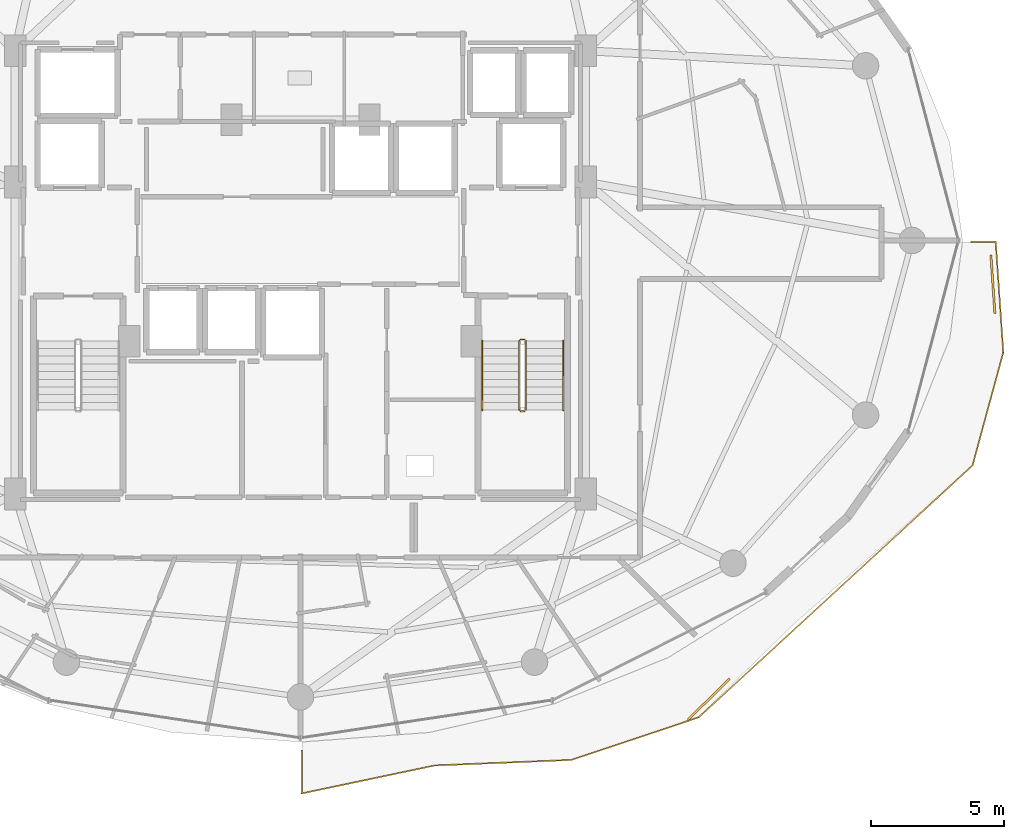
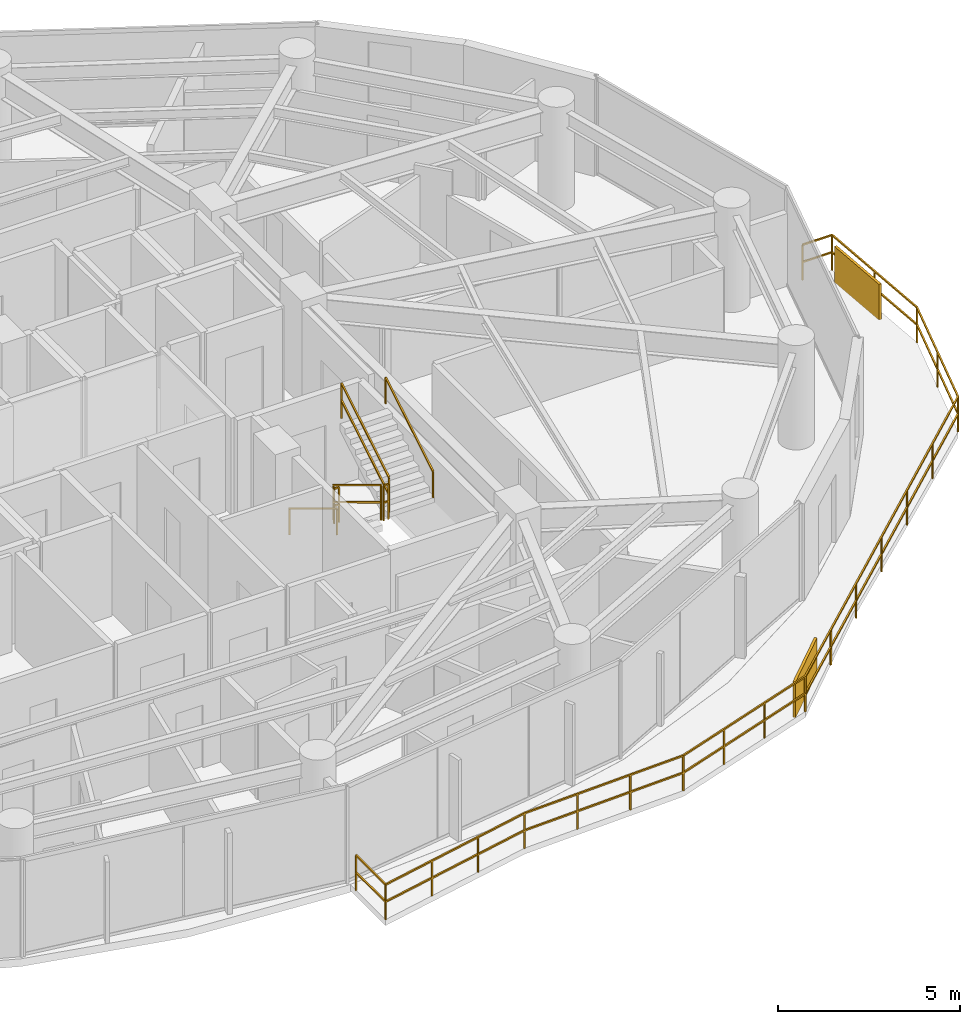
# One storey, part 29 of 31: 8 railings, 2 shading devices.
"""IFC4 building model written with IfcOpenShell, lengths in metres."""

from ifc_helpers import new_model, si_unit, direction, frame, origin, origin_2d, place, context, subcontext, project, spatial, rectangle, extrude, material, type_object, element, save


model = new_model("IFC4")

# Units and contexts
model_context = context("Model", 3, precision=1e-05, world=origin(), true_north=direction((0.0, 1.0)))
body_context = subcontext(model_context, "Body", "Model", "MODEL_VIEW")
ifc_project = project(units=[si_unit("LENGTHUNIT", "METRE"), si_unit("AREAUNIT", "SQUARE_METRE"), si_unit("VOLUMEUNIT", "CUBIC_METRE"), si_unit("PLANEANGLEUNIT", "RADIAN"), si_unit("MASSUNIT", "GRAM", prefix="KILO")], contexts=[model_context])

# Site, building, storey
site_placement = place(None, origin())
site = spatial("IfcSite", under=ifc_project, at=site_placement, CompositionType="ELEMENT")
building_placement = place(site_placement, origin())
building = spatial("IfcBuilding", under=site, at=building_placement, Name="Vorneva Point Tower", CompositionType="ELEMENT")
storey_placement = place(building_placement, frame((0.0, 0.0, 136.10009765625)))
storey = spatial("IfcBuildingStorey", under=building, at=storey_placement, Name="L36", CompositionType="ELEMENT", Elevation=136.10009765625)

# Railings
ifc_material_1 = material(Name="Pale anodised aluminium", Category="aluminium")
railing_type_1 = type_object("IfcRailingType", Name="RL-BAL-1200", PredefinedType="BALUSTRADE", material=ifc_material_1)
railing_1_placement = place(storey_placement, frame((64.48876953125, 21.782958984375, 0.0)))
element("IfcRailing", 1, at=railing_1_placement, inside=storey, type_object=railing_type_1, Name="L36 Wave Balcony Balustrade SE.1", PredefinedType="BALUSTRADE", context=body_context, shape_type="SweptSolid", body=[
    extrude(rectangle(XDim=0.048095703125, YDim=0.048095703125, at=origin_2d()), frame((0.0, 0.0, 1.17578125), z_axis=(-0.068330661479, 0.997662728933, 0.0), x_axis=(-0.997662728933, -0.068330661479, 0.0)), (0.0, 0.0, 1.0), 4.1767578125),
    extrude(rectangle(XDim=0.048095703125, YDim=0.048095703125, at=origin_2d()), frame((0.0, 0.0, 0.60009765625), z_axis=(-0.068330661479, 0.997662728933, 0.0), x_axis=(-0.997662728933, -0.068330661479, 0.0)), (0.0, 0.0, 1.0), 4.1767578125),
    extrude(rectangle(XDim=0.048095703125, YDim=0.048095703125, at=origin_2d()), frame((-0.285400390625, 4.1669921875, 1.17578125), z_axis=(-1.0, 0.0, 0.0), x_axis=(0.0, -1.0, 0.0)), (0.0, 0.0, 1.0), 0.937255859375),
    extrude(rectangle(XDim=0.048095703125, YDim=0.048095703125, at=origin_2d()), frame((-0.285400390625, 4.1669921875, 0.60009765625), z_axis=(-1.0, 0.0, 0.0), x_axis=(0.0, -1.0, 0.0)), (0.0, 0.0, 1.0), 0.937255859375),
    extrude(rectangle(XDim=0.0419921875, YDim=0.0419921875, at=origin_2d()), origin(), (0.0, 0.0, 1.0), 1.15185546875),
    extrude(rectangle(XDim=0.0419921875, YDim=0.0419921875, at=origin_2d()), frame((-0.142578125, 2.08349609375, 0.0)), (0.0, 0.0, 1.0), 1.15185546875),
    extrude(rectangle(XDim=0.0419921875, YDim=0.0419921875, at=origin_2d()), frame((-0.285400390625, 4.1669921875, 0.0)), (0.0, 0.0, 1.0), 1.15185546875),
    extrude(rectangle(XDim=0.0419921875, YDim=0.0419921875, at=origin_2d()), frame((-1.22265625, 4.1669921875, 0.0)), (0.0, 0.0, 1.0), 1.15185546875),
])
railing_2_placement = place(storey_placement, frame((38.050048828125, 6.78271484375, 0.0)))
element("IfcRailing", 2, at=railing_2_placement, inside=storey, type_object=railing_type_1, Name="L36 Wave Balcony Balustrade SE.2", PredefinedType="BALUSTRADE", context=body_context, shape_type="SweptSolid", body=[
    extrude(rectangle(XDim=0.048095703125, YDim=0.048095703125, at=origin_2d()), frame((0.0, 0.0, 1.17578125), z_axis=(0.0, -1.0, 0.0), x_axis=(1.0, 0.0, 0.0)), (0.0, 0.0, 1.0), 1.622314453125),
    extrude(rectangle(XDim=0.048095703125, YDim=0.048095703125, at=origin_2d()), frame((0.0, 0.0, 0.60009765625), z_axis=(0.0, -1.0, 0.0), x_axis=(1.0, 0.0, 0.0)), (0.0, 0.0, 1.0), 1.622314453125),
    extrude(rectangle(XDim=0.048095703125, YDim=0.048095703125, at=origin_2d()), frame((0.0, -1.622314453125, 1.17578125), z_axis=(0.978565479687, 0.205935917131, 0.0), x_axis=(-0.205935917131, 0.978565479687, 0.0)), (0.0, 0.0, 1.0), 5.115478515625),
    extrude(rectangle(XDim=0.048095703125, YDim=0.048095703125, at=origin_2d()), frame((0.0, -1.622314453125, 0.60009765625), z_axis=(0.978565479687, 0.205935917131, 0.0), x_axis=(-0.205935917131, 0.978565479687, 0.0)), (0.0, 0.0, 1.0), 5.115478515625),
    extrude(rectangle(XDim=0.048095703125, YDim=0.048095703125, at=origin_2d()), frame((5.005859375, -0.56884765625, 1.17578125), z_axis=(0.999181493619, 0.040451734317, 0.0), x_axis=(-0.040451734317, 0.999181493619, 0.0)), (0.0, 0.0, 1.0), 5.16015625),
    extrude(rectangle(XDim=0.048095703125, YDim=0.048095703125, at=origin_2d()), frame((5.005859375, -0.56884765625, 0.60009765625), z_axis=(0.999181493619, 0.040451734317, 0.0), x_axis=(-0.040451734317, 0.999181493619, 0.0)), (0.0, 0.0, 1.0), 5.16015625),
    extrude(rectangle(XDim=0.048095703125, YDim=0.048095703125, at=origin_2d()), frame((10.161865234375, -0.360107421875, 1.17578125), z_axis=(0.948334924169, 0.317270975038, 0.0), x_axis=(-0.317270975038, 0.948334924169, 0.0)), (0.0, 0.0, 1.0), 5.05419921875),
    extrude(rectangle(XDim=0.048095703125, YDim=0.048095703125, at=origin_2d()), frame((10.161865234375, -0.360107421875, 0.60009765625), z_axis=(0.948334924169, 0.317270975038, 0.0), x_axis=(-0.317270975038, 0.948334924169, 0.0)), (0.0, 0.0, 1.0), 5.05419921875),
    extrude(rectangle(XDim=0.048095703125, YDim=0.048095703125, at=origin_2d()), frame((14.954833984375, 1.243408203125, 1.17578125), z_axis=(0.73603472596, 0.676943780665, 0.0), x_axis=(-0.676943780665, 0.73603472596, 0.0)), (0.0, 0.0, 1.0), 14.02685546875),
    extrude(rectangle(XDim=0.048095703125, YDim=0.048095703125, at=origin_2d()), frame((14.954833984375, 1.243408203125, 0.60009765625), z_axis=(0.73603472596, 0.676943780665, 0.0), x_axis=(-0.676943780665, 0.73603472596, 0.0)), (0.0, 0.0, 1.0), 14.02685546875),
    extrude(rectangle(XDim=0.048095703125, YDim=0.048095703125, at=origin_2d()), frame((25.279052734375, 10.73876953125, 1.17578125), z_axis=(0.262579449099, 0.964910375585, 0.0), x_axis=(-0.964910375585, 0.262579449099, 0.0)), (0.0, 0.0, 1.0), 4.41650390625),
    extrude(rectangle(XDim=0.048095703125, YDim=0.048095703125, at=origin_2d()), frame((25.279052734375, 10.73876953125, 0.60009765625), z_axis=(0.262579449099, 0.964910375585, 0.0), x_axis=(-0.964910375585, 0.262579449099, 0.0)), (0.0, 0.0, 1.0), 4.41650390625),
    extrude(rectangle(XDim=0.0419921875, YDim=0.0419921875, at=origin_2d()), origin(), (0.0, 0.0, 1.0), 1.15185546875),
    extrude(rectangle(XDim=0.0419921875, YDim=0.0419921875, at=origin_2d()), frame((0.0, -1.622314453125, 0.0)), (0.0, 0.0, 1.0), 1.15185546875),
    extrude(rectangle(XDim=0.0419921875, YDim=0.0419921875, at=origin_2d()), frame((1.668701171875, -1.271240234375, 0.0)), (0.0, 0.0, 1.0), 1.15185546875),
    extrude(rectangle(XDim=0.0419921875, YDim=0.0419921875, at=origin_2d()), frame((3.337158203125, -0.919921875, 0.0)), (0.0, 0.0, 1.0), 1.15185546875),
    extrude(rectangle(XDim=0.0419921875, YDim=0.0419921875, at=origin_2d()), frame((5.005859375, -0.56884765625, 0.0)), (0.0, 0.0, 1.0), 1.15185546875),
    extrude(rectangle(XDim=0.0419921875, YDim=0.0419921875, at=origin_2d()), frame((6.724609375, -0.499267578125, 0.0)), (0.0, 0.0, 1.0), 1.15185546875),
    extrude(rectangle(XDim=0.0419921875, YDim=0.0419921875, at=origin_2d()), frame((8.443115234375, -0.4296875, 0.0)), (0.0, 0.0, 1.0), 1.15185546875),
    extrude(rectangle(XDim=0.0419921875, YDim=0.0419921875, at=origin_2d()), frame((10.161865234375, -0.360107421875, 0.0)), (0.0, 0.0, 1.0), 1.15185546875),
    extrude(rectangle(XDim=0.0419921875, YDim=0.0419921875, at=origin_2d()), frame((11.759521484375, 0.17431640625, 0.0)), (0.0, 0.0, 1.0), 1.15185546875),
    extrude(rectangle(XDim=0.0419921875, YDim=0.0419921875, at=origin_2d()), frame((13.357177734375, 0.708984375, 0.0)), (0.0, 0.0, 1.0), 1.15185546875),
    extrude(rectangle(XDim=0.0419921875, YDim=0.0419921875, at=origin_2d()), frame((14.954833984375, 1.243408203125, 0.0)), (0.0, 0.0, 1.0), 1.15185546875),
    extrude(rectangle(XDim=0.0419921875, YDim=0.0419921875, at=origin_2d()), frame((16.675537109375, 2.825927734375, 0.0)), (0.0, 0.0, 1.0), 1.15185546875),
    extrude(rectangle(XDim=0.0419921875, YDim=0.0419921875, at=origin_2d()), frame((18.396240234375, 4.408447265625, 0.0)), (0.0, 0.0, 1.0), 1.15185546875),
    extrude(rectangle(XDim=0.0419921875, YDim=0.0419921875, at=origin_2d()), frame((20.116943359375, 5.9912109375, 0.0)), (0.0, 0.0, 1.0), 1.15185546875),
    extrude(rectangle(XDim=0.0419921875, YDim=0.0419921875, at=origin_2d()), frame((21.837646484375, 7.57373046875, 0.0)), (0.0, 0.0, 1.0), 1.15185546875),
    extrude(rectangle(XDim=0.0419921875, YDim=0.0419921875, at=origin_2d()), frame((23.558349609375, 9.15625, 0.0)), (0.0, 0.0, 1.0), 1.15185546875),
    extrude(rectangle(XDim=0.0419921875, YDim=0.0419921875, at=origin_2d()), frame((25.279052734375, 10.73876953125, 0.0)), (0.0, 0.0, 1.0), 1.15185546875),
    extrude(rectangle(XDim=0.0419921875, YDim=0.0419921875, at=origin_2d()), frame((25.85888671875, 12.86962890625, 0.0)), (0.0, 0.0, 1.0), 1.15185546875),
    extrude(rectangle(XDim=0.0419921875, YDim=0.0419921875, at=origin_2d()), frame((26.438720703125, 15.000244140625, 0.0)), (0.0, 0.0, 1.0), 1.15185546875),
])
ifc_material_2 = material(Name="Brushed stainless steel S304", Category="steel")
railing_type_2 = type_object("IfcRailingType", Name="RL-HND-920", PredefinedType="HANDRAIL", material=ifc_material_2)
railing_3_placement = place(storey_placement, frame((44.85009765625, 22.219970703125, 0.1748046875)))
element("IfcRailing", 3, at=railing_3_placement, inside=storey, type_object=railing_type_2, Name="L36 ST2 stair handrail 1", PredefinedType="HANDRAIL", context=body_context, shape_type="SweptSolid", body=[
    extrude(rectangle(XDim=0.048095703125, YDim=0.048095703125, at=origin_2d()), frame((0.0, 0.0, 0.8759765625), z_axis=(0.0, -0.856147343639, 0.516731773728), x_axis=(1.0, 0.0, 0.0)), (0.0, 0.0, 1.0), 3.04833984375),
    extrude(rectangle(XDim=0.0419921875, YDim=0.0419921875, at=origin_2d()), origin(), (0.0, 0.0, 1.0), 0.851806640625),
    extrude(rectangle(XDim=0.0419921875, YDim=0.0419921875, at=origin_2d()), frame((0.0, -2.60986328125, 1.5751953125)), (0.0, 0.0, 1.0), 0.851806640625),
])
railing_4_placement = place(storey_placement, frame((47.89990234375, 19.610107421875, 1.9248046875)))
element("IfcRailing", 4, at=railing_4_placement, inside=storey, type_object=railing_type_2, Name="L36 ST2 stair handrail 2", PredefinedType="HANDRAIL", context=body_context, shape_type="SweptSolid", body=[
    extrude(rectangle(XDim=0.048095703125, YDim=0.048095703125, at=origin_2d()), frame((0.0, 0.0, 0.8759765625), z_axis=(0.0, 0.856147343639, 0.516731773728), x_axis=(-1.0, 0.0, 0.0)), (0.0, 0.0, 1.0), 3.04833984375),
    extrude(rectangle(XDim=0.0419921875, YDim=0.0419921875, at=origin_2d()), origin(), (0.0, 0.0, 1.0), 0.851806640625),
    extrude(rectangle(XDim=0.0419921875, YDim=0.0419921875, at=origin_2d()), frame((0.0, 2.60986328125, 1.5751953125)), (0.0, 0.0, 1.0), 0.851806640625),
])
railing_type_3 = type_object("IfcRailingType", Name="RL-STG-1100", PredefinedType="GUARDRAIL", material=ifc_material_2)
railing_5_placement = place(storey_placement, frame((46.25, 22.219970703125, 0.1748046875)))
element("IfcRailing", 5, at=railing_5_placement, inside=storey, type_object=railing_type_3, Name="L36 ST2 stair guard 1", PredefinedType="GUARDRAIL", context=body_context, shape_type="SweptSolid", body=[
    extrude(rectangle(XDim=0.048095703125, YDim=0.048095703125, at=origin_2d()), frame((0.0, 0.0, 1.17578125), z_axis=(0.0, -0.856147343639, 0.516731773728), x_axis=(1.0, 0.0, 0.0)), (0.0, 0.0, 1.0), 3.04833984375),
    extrude(rectangle(XDim=0.048095703125, YDim=0.048095703125, at=origin_2d()), frame((0.0, 0.0, 0.60009765625), z_axis=(0.0, -0.856147343639, 0.516731773728), x_axis=(1.0, 0.0, 0.0)), (0.0, 0.0, 1.0), 3.04833984375),
    extrude(rectangle(XDim=0.0419921875, YDim=0.0419921875, at=origin_2d()), origin(), (0.0, 0.0, 1.0), 1.15185546875),
    extrude(rectangle(XDim=0.0419921875, YDim=0.0419921875, at=origin_2d()), frame((0.0, -2.60986328125, 1.5751953125)), (0.0, 0.0, 1.0), 1.15185546875),
])
railing_6_placement = place(storey_placement, frame((46.300048828125, 19.56005859375, 1.75)))
element("IfcRailing", 6, at=railing_6_placement, inside=storey, type_object=railing_type_3, Name="L36 ST2 stair guard 2", PredefinedType="GUARDRAIL", context=body_context, shape_type="SweptSolid", body=[
    extrude(rectangle(XDim=0.048095703125, YDim=0.048095703125, at=origin_2d()), frame((0.0, 0.0, 1.17578125), z_axis=(1.0, 0.0, 0.0), x_axis=(0.0, 1.0, 0.0)), (0.0, 0.0, 1.0), 0.14990234375),
    extrude(rectangle(XDim=0.048095703125, YDim=0.048095703125, at=origin_2d()), frame((0.0, 0.0, 0.60009765625), z_axis=(1.0, 0.0, 0.0), x_axis=(0.0, 1.0, 0.0)), (0.0, 0.0, 1.0), 0.14990234375),
    extrude(rectangle(XDim=0.0419921875, YDim=0.0419921875, at=origin_2d()), origin(), (0.0, 0.0, 1.0), 1.15185546875),
    extrude(rectangle(XDim=0.0419921875, YDim=0.0419921875, at=origin_2d()), frame((0.14990234375, 0.0, 0.0)), (0.0, 0.0, 1.0), 1.15185546875),
])
railing_7_placement = place(storey_placement, frame((46.5, 19.610107421875, 1.9248046875)))
element("IfcRailing", 7, at=railing_7_placement, inside=storey, type_object=railing_type_3, Name="L36 ST2 stair guard 3", PredefinedType="GUARDRAIL", context=body_context, shape_type="SweptSolid", body=[
    extrude(rectangle(XDim=0.048095703125, YDim=0.048095703125, at=origin_2d()), frame((0.0, 0.0, 1.17578125), z_axis=(0.0, 0.856147343639, 0.516731773728), x_axis=(-1.0, 0.0, 0.0)), (0.0, 0.0, 1.0), 3.04833984375),
    extrude(rectangle(XDim=0.048095703125, YDim=0.048095703125, at=origin_2d()), frame((0.0, 0.0, 0.60009765625), z_axis=(0.0, 0.856147343639, 0.516731773728), x_axis=(-1.0, 0.0, 0.0)), (0.0, 0.0, 1.0), 3.04833984375),
    extrude(rectangle(XDim=0.0419921875, YDim=0.0419921875, at=origin_2d()), origin(), (0.0, 0.0, 1.0), 1.15185546875),
    extrude(rectangle(XDim=0.0419921875, YDim=0.0419921875, at=origin_2d()), frame((0.0, 2.60986328125, 1.5751953125)), (0.0, 0.0, 1.0), 1.15185546875),
])
railing_8_placement = place(storey_placement, frame((46.300048828125, 22.27001953125, 0.0)))
element("IfcRailing", 8, at=railing_8_placement, inside=storey, type_object=railing_type_3, Name="L36 ST2 stair guard 4", PredefinedType="GUARDRAIL", context=body_context, shape_type="SweptSolid", body=[
    extrude(rectangle(XDim=0.048095703125, YDim=0.048095703125, at=origin_2d()), frame((0.0, 0.0, 1.17578125), z_axis=(1.0, 0.0, 0.0), x_axis=(0.0, 1.0, 0.0)), (0.0, 0.0, 1.0), 0.14990234375),
    extrude(rectangle(XDim=0.048095703125, YDim=0.048095703125, at=origin_2d()), frame((0.0, 0.0, 0.60009765625), z_axis=(1.0, 0.0, 0.0), x_axis=(0.0, 1.0, 0.0)), (0.0, 0.0, 1.0), 0.14990234375),
    extrude(rectangle(XDim=0.0419921875, YDim=0.0419921875, at=origin_2d()), origin(), (0.0, 0.0, 1.0), 1.15185546875),
    extrude(rectangle(XDim=0.0419921875, YDim=0.0419921875, at=origin_2d()), frame((0.14990234375, 0.0, 0.0)), (0.0, 0.0, 1.0), 1.15185546875),
])

# Shading devices
shading_device_type = type_object("IfcShadingDeviceType", Name="SHD-JAL-1200", PredefinedType="JALOUSIE", material=ifc_material_1)
for number, where, z_axis, x_axis, name in (
    (9, (64.094482421875, 24.347900390625, -0.02001953125), (0.0, 0.0, 1.0), (-0.068311306552, 0.997664054378, 0.0), "L36 Balcony Vertical-Greenery Planter Screen SE.1"),
    (10, (53.39208984375, 8.7138671875, -0.02001953125), (0.0, 0.0, 1.0), (0.71378849846, 0.700361320653, 0.0), "L36 Balcony Vertical-Greenery Planter Screen SE.2"),
):
    element("IfcShadingDevice", number, at=place(storey_placement, frame(where, z_axis=z_axis, x_axis=x_axis)), inside=storey, type_object=shading_device_type, Name=name, PredefinedType="JALOUSIE", context=body_context, shape_type="SweptSolid", body=[
        extrude(rectangle(XDim=2.199951171875, YDim=0.080078125, at=origin_2d()), origin(), (0.0, 0.0, 1.0), 1.199951171875),
    ])

save(model, "model.ifc")
